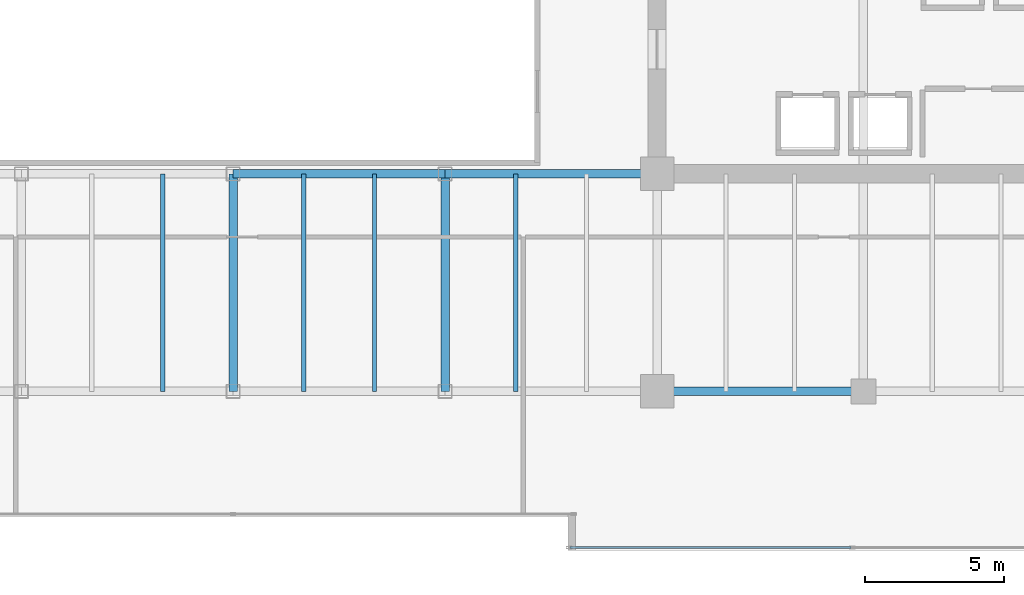
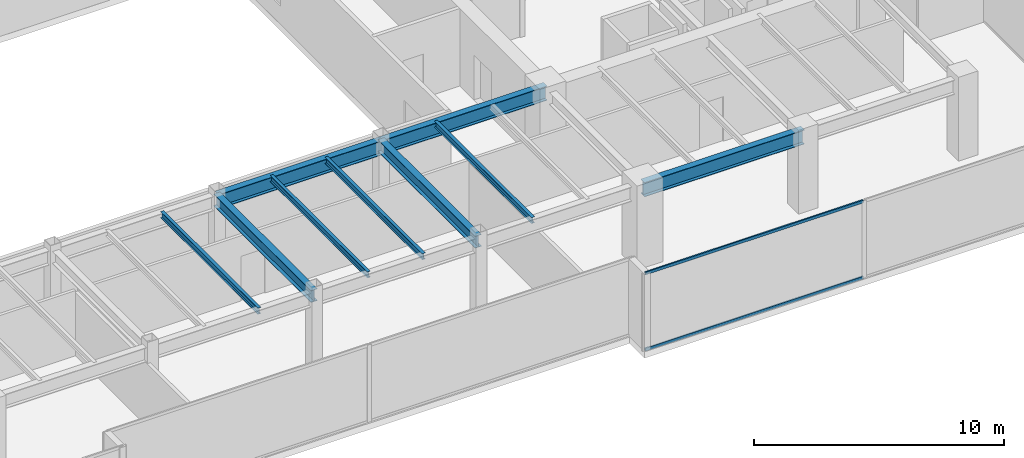
# One storey, part 11 of 31: 9 beams, 2 members, 1 element without a shape of its own.
"""IFC4 building model written with IfcOpenShell, lengths in metres."""

from ifc_helpers import new_model, si_unit, direction, frame, origin, origin_2d, place, context, subcontext, project, spatial, hollow_rectangle, i_section, extrude, source, transform, mapped, material, layer, layer_set, material_profile, profile_set, type_object, type_shapes, element, aggregate, save


model = new_model("IFC4")

# Units and contexts
model_context = context("Model", 3, precision=1e-05, world=origin(), true_north=direction((0.0, 1.0)))
body_context = subcontext(model_context, "Body", "Model", "MODEL_VIEW")
ifc_project = project(units=[si_unit("LENGTHUNIT", "METRE"), si_unit("AREAUNIT", "SQUARE_METRE"), si_unit("VOLUMEUNIT", "CUBIC_METRE"), si_unit("PLANEANGLEUNIT", "RADIAN"), si_unit("MASSUNIT", "GRAM", prefix="KILO")], contexts=[model_context])

# Site, building, storey
site_placement = place(None, origin())
site = spatial("IfcSite", under=ifc_project, at=site_placement, CompositionType="ELEMENT")
building_placement = place(site_placement, origin())
building = spatial("IfcBuilding", under=site, at=building_placement, Name="Haelvirn Gate Laboratories", CompositionType="ELEMENT")
storey_placement = place(building_placement, frame((0.0, 0.0, 150.199951171875)))
storey = spatial("IfcBuildingStorey", under=building, at=storey_placement, Name="L36", CompositionType="ELEMENT", Elevation=150.199951171875)

# Beams
ifc_material_1 = material(Name="Steel SM355", Category="steel")
ifc_material_profile_1 = material_profile(ifc_material_1, i_section(OverallWidth=0.300048828125, OverallDepth=0.699951171875, WebThickness=0.012939453125, FlangeThickness=0.02392578125, at=origin_2d()), Name="H-700x300x13x24")
ifc_profile_set_1 = profile_set([ifc_material_profile_1], Name="Steel SM355")
beam_type_1 = type_object("IfcBeamType", Name="BM-G-700", PredefinedType="BEAM", material=ifc_profile_set_1)
shared_shape_1 = source(origin(), body_context, "Body", "SweptSolid", [
    extrude(i_section(OverallWidth=0.300048828125, OverallDepth=0.699951171875, WebThickness=0.012939453125, FlangeThickness=0.02392578125, at=origin_2d()), origin(), (0.0, 0.0, 1.0), 7.39990234375),
])
beam_placement = place(storey_placement, frame((52.60009765625, 7.0, 3.43994140625), z_axis=(1.0, 0.0, 0.0), x_axis=(0.0, 1.0, 0.0)))
element("IfcBeam", 1, at=beam_placement, inside=storey, type_object=beam_type_1, Name="L36 Primary Girder Y7.0 (52.6-60.0)", PredefinedType="BEAM", context=body_context, shape_type="MappedRepresentation", body=[
    mapped(shared_shape_1, transform((0.0, 0.0, 0.0), scale=1.0)),
])
shared_shape_2 = source(origin(), body_context, "Body", "SweptSolid", [
    extrude(i_section(OverallWidth=0.300048828125, OverallDepth=0.699951171875, WebThickness=0.012939453125, FlangeThickness=0.02392578125, at=origin_2d()), origin(), (0.0, 0.0, 1.0), 7.60009765625),
])
type_shapes(beam_type_1, [shared_shape_1, shared_shape_2])
for number, where, z_axis, x_axis, name in (
    (2, (37.39990234375, 14.800048828125, 3.43994140625), (1.0, 0.0, 0.0), (0.0, 1.0, 0.0), "L36 Primary Girder Y14.8 (37.4-45.0)"),
    (3, (45.0, 14.800048828125, 3.43994140625), (1.0, 0.0, 0.0), (0.0, 1.0, 0.0), "L36 Primary Girder Y14.8 (45.0-52.6)"),
):
    element("IfcBeam", number, at=place(storey_placement, frame(where, z_axis=z_axis, x_axis=x_axis)), inside=storey, type_object=beam_type_1, Name=name, PredefinedType="BEAM", context=body_context, shape_type="MappedRepresentation", body=[
        mapped(shared_shape_2, transform((0.0, 0.0, 0.0), scale=1.0)),
    ])
ifc_material_profile_2 = material_profile(ifc_material_1, i_section(OverallWidth=0.14990234375, OverallDepth=0.300048828125, WebThickness=0.006591796875, FlangeThickness=0.009033203125, at=origin_2d()), Name="H-300x150x6.5x9")
ifc_profile_set_2 = profile_set([ifc_material_profile_2], Name="Steel SM355")
beam_type_2 = type_object("IfcBeamType", Name="BM-J-300", PredefinedType="JOIST", material=ifc_profile_set_2)
shared_shape_3 = source(origin(), body_context, "Body", "SweptSolid", [
    extrude(i_section(OverallWidth=0.14990234375, OverallDepth=0.300048828125, WebThickness=0.006591796875, FlangeThickness=0.009033203125, at=origin_2d()), origin(), (0.0, 0.0, 1.0), 7.800048828125),
])
type_shapes(beam_type_2, [shared_shape_3])
for number, where, z_axis, x_axis, name in (
    (4, (34.8701171875, 7.0, 3.64013671875), (0.0, 1.0, 0.0), (-1.0, 0.0, 0.0), "L36 Composite Lab Joist South X34.87"),
    (5, (39.929931640625, 7.0, 3.64013671875), (0.0, 1.0, 0.0), (-1.0, 0.0, 0.0), "L36 Composite Lab Joist South X39.93"),
    (6, (42.469970703125, 7.0, 3.64013671875), (0.0, 1.0, 0.0), (-1.0, 0.0, 0.0), "L36 Composite Lab Joist South X42.47"),
    (7, (47.530029296875, 7.0, 3.64013671875), (0.0, 1.0, 0.0), (-1.0, 0.0, 0.0), "L36 Composite Lab Joist South X47.53"),
):
    element("IfcBeam", number, at=place(storey_placement, frame(where, z_axis=z_axis, x_axis=x_axis)), inside=storey, type_object=beam_type_2, Name=name, PredefinedType="JOIST", context=body_context, shape_type="MappedRepresentation", body=[
        mapped(shared_shape_3, transform((0.0, 0.0, 0.0), scale=1.0)),
    ])
ifc_material_profile_3 = material_profile(ifc_material_1, i_section(OverallWidth=0.300048828125, OverallDepth=0.587890625, WebThickness=0.011962890625, FlangeThickness=0.02001953125, at=origin_2d()), Name="H-588x300x12x20")
ifc_profile_set_3 = profile_set([ifc_material_profile_3], Name="Steel SM355")
beam_type_3 = type_object("IfcBeamType", Name="BM-G-588", PredefinedType="BEAM", material=ifc_profile_set_3)
shared_shape_4 = source(origin(), body_context, "Body", "SweptSolid", [
    extrude(i_section(OverallWidth=0.300048828125, OverallDepth=0.587890625, WebThickness=0.011962890625, FlangeThickness=0.02001953125, at=origin_2d()), origin(), (0.0, 0.0, 1.0), 7.800048828125),
])
type_shapes(beam_type_3, [shared_shape_4])
for number, where, z_axis, x_axis, name in (
    (8, (37.39990234375, 7.0, 3.49609375), (0.0, 1.0, 0.0), (-1.0, 0.0, 0.0), "L36 Frame Girder X37.4 (7.0-14.8)"),
    (9, (45.0, 7.0, 3.49609375), (0.0, 1.0, 0.0), (-1.0, 0.0, 0.0), "L36 Frame Girder X45.0 (7.0-14.8)"),
):
    element("IfcBeam", number, at=place(storey_placement, frame(where, z_axis=z_axis, x_axis=x_axis)), inside=storey, type_object=beam_type_3, Name=name, PredefinedType="BEAM", context=body_context, shape_type="MappedRepresentation", body=[
        mapped(shared_shape_4, transform((0.0, 0.0, 0.0), scale=1.0)),
    ])

# Curtain wall, members
ifc_material_2 = material(Name="Anodised bronze unitised aluminium & triple low-E glass", Category="aluminium")
ifc_layer = layer(ifc_material_2, 0.179931640625, Name="CW-SYS-3")
ifc_layer_set = layer_set([ifc_layer], Name="Anodised bronze unitised aluminium & triple low-E glass")
curtain_wall_type = type_object("IfcCurtainWallType", Name="CW-SYS-3", PredefinedType="NOTDEFINED", material=ifc_layer_set)
curtain_wall_placement = place(storey_placement, origin())
curtain_wall = element("IfcCurtainWall", 10, at=curtain_wall_placement, inside=storey, type_object=curtain_wall_type, Name="L36 Unitised Curtain Wall CW-L36-P0-E04-1", PredefinedType="NOTDEFINED")
ifc_material_3 = material(Name="Extruded aluminium 6063-T6 (anodised bronze)", Category="aluminium")
ifc_material_profile_4 = material_profile(ifc_material_3, hollow_rectangle(XDim=0.06494140625, YDim=0.139892578125, WallThickness=0.00390625, at=origin_2d()), Name="CWT-140x65x4")
ifc_profile_set_4 = profile_set([ifc_material_profile_4], Name="Extruded aluminium 6063-T6 (anodised bronze)")
member_type = type_object("IfcMemberType", Name="CWT-T140", PredefinedType="USERDEFINED", material=ifc_profile_set_4)
shared_shape_5 = source(origin(), body_context, "Body", "SweptSolid", [
    extrude(hollow_rectangle(XDim=0.06494140625, YDim=0.139892578125, WallThickness=0.00390625, at=origin_2d()), origin(), (0.0, 0.0, 1.0), 10.08740234375),
])
type_shapes(member_type, [shared_shape_5])
member_1_placement = place(storey_placement, frame((49.47509765625, 1.39990234375, 0.032470703125), z_axis=(1.0, 0.0, 0.0), x_axis=(0.0, 1.0, 0.0)))
member_1 = element("IfcMember", 11, at=member_1_placement, type_object=member_type, Name="CW3 transom 1.1", ObjectType="TRANSOM", PredefinedType="USERDEFINED", context=body_context, shape_type="MappedRepresentation", body=[
    mapped(shared_shape_5, transform((0.0, 0.0, 0.0), scale=1.0)),
])
member_2_placement = place(storey_placement, frame((49.47509765625, 1.39990234375, 3.757568359375), z_axis=(1.0, 0.0, 0.0), x_axis=(0.0, 1.0, 0.0)))
member_2 = element("IfcMember", 12, at=member_2_placement, type_object=member_type, Name="CW3 transom 1.2", ObjectType="TRANSOM", PredefinedType="USERDEFINED", context=body_context, shape_type="MappedRepresentation", body=[
    mapped(shared_shape_5, transform((0.0, 0.0, 0.0), scale=1.0)),
])
aggregate(curtain_wall, [member_1, member_2])

save(model, "model.ifc")
